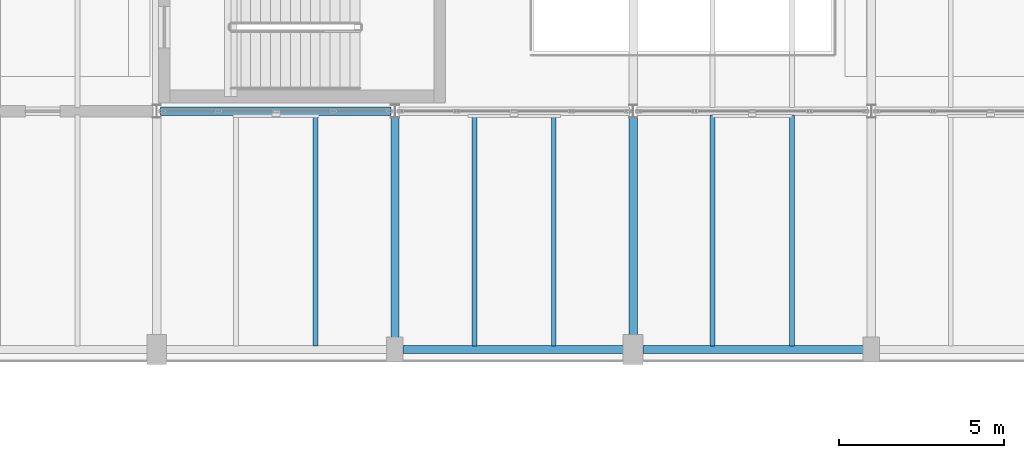
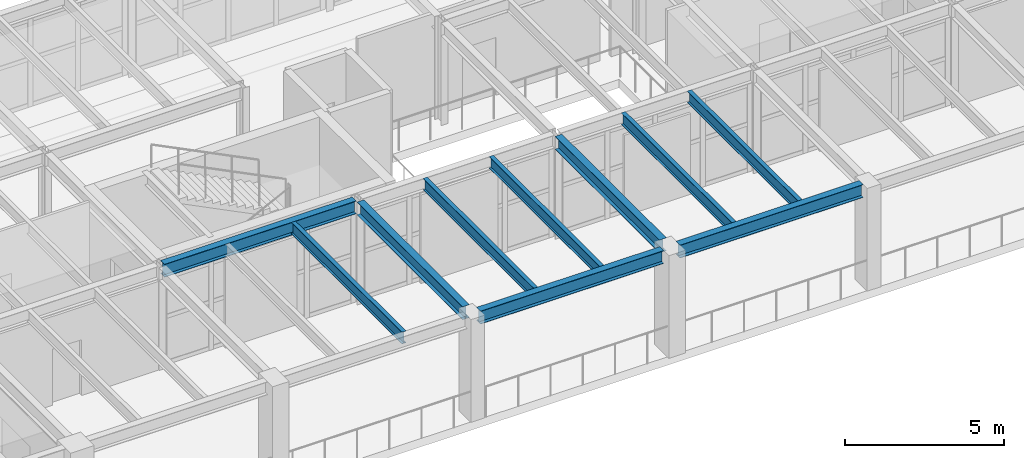
# One storey, part 14 of 59: 10 beams.
"""IFC4 building model written with IfcOpenShell, lengths in metres."""

import ifcopenshell
import ifcopenshell.guid

model = None  # the IFC model being written
_history = None  # IfcOwnerHistory: only IFC2X3 demands one
_inside = {}  # id of a spatial element -> (the spatial element, [elements in it])
_under = {}  # id of a project, library or spatial element -> (it, [spatial elements below it])
_declared = {}  # id of a project -> (the project, [libraries it declares])
_typed = {}  # id of a type object -> (the type object, [elements of that type])
_made_of = {}  # id of a material, layer set ... -> (it, [elements and type objects made of it])


def new_model(schema):
    """Start an empty IFC model of exactly this schema.

    Asked for "IFC4X3", IfcOpenShell would pick the latest addendum, in which some entities
    have other attributes; the version numbers below select the first issue.
    IFC2X3 requires an IfcOwnerHistory on every rooted entity: one is made here for all.
    """
    global model, _history
    if schema == "IFC4X3":
        model = ifcopenshell.file(schema_version=(4, 3, 0, 0))
    else:
        model = ifcopenshell.file(schema=schema)
    _inside.clear()
    _under.clear()
    _declared.clear()
    _typed.clear()
    _made_of.clear()
    _history = None
    if model.schema == "IFC2X3":
        org = make("IfcOrganization", Name="unknown")
        user = make(
            "IfcPersonAndOrganization",
            ThePerson=make("IfcPerson", FamilyName="unknown"),
            TheOrganization=org,
        )
        app = make(
            "IfcApplication",
            ApplicationDeveloper=org,
            Version="unknown",
            ApplicationFullName="unknown",
            ApplicationIdentifier="unknown",
        )
        _history = make(
            "IfcOwnerHistory",
            OwningUser=user,
            OwningApplication=app,
            ChangeAction="ADDED",
            CreationDate=0,
        )
    return model


def make(cls, **values):
    """One entity of the class cls with the attributes given. An attribute that is None is left unset."""
    return model.create_entity(
        cls, **{name: value for name, value in values.items() if value is not None}
    )


def rooted(cls, **values):
    """An entity with a GlobalId (a new one), such as an element, a storey or a relation."""
    return make(cls, GlobalId=ifcopenshell.guid.new(), OwnerHistory=_history, **values)


def si_unit(unit_type, name, prefix=None):
    """IfcSIUnit, for example si_unit("LENGTHUNIT", "METRE", prefix="MILLI")."""
    return make("IfcSIUnit", UnitType=unit_type, Prefix=prefix, Name=name)


def assignment(units):
    """IfcUnitAssignment: the units of a project."""
    return None if units is None else make("IfcUnitAssignment", Units=units)


def point(xyz):
    """IfcCartesianPoint."""
    return None if xyz is None else make("IfcCartesianPoint", Coordinates=xyz)


def direction(xyz):
    """IfcDirection."""
    return None if xyz is None else make("IfcDirection", DirectionRatios=xyz)


def frame(location, z_axis=None, x_axis=None):
    """IfcAxis2Placement3D, a coordinate frame: its origin and axes. An axis left out is left unset."""
    return make(
        "IfcAxis2Placement3D",
        Location=point(location),
        Axis=direction(z_axis),
        RefDirection=direction(x_axis),
    )


def frame_2d(location, x_axis=None):
    """IfcAxis2Placement2D, a coordinate frame in the plane: its origin and x axis."""
    return make(
        "IfcAxis2Placement2D", Location=point(location), RefDirection=direction(x_axis)
    )


def origin():
    """The frame at (0, 0, 0) with its axes left unset."""
    return frame((0.0, 0.0, 0.0))


def origin_2d():
    """The frame at (0, 0) in the plane with its x axis left unset."""
    return frame_2d((0.0, 0.0))


def place(relative_to, where):
    """IfcLocalPlacement: puts the frame where relative to a parent placement (None: the world)."""
    return make(
        "IfcLocalPlacement", PlacementRelTo=relative_to, RelativePlacement=where
    )


def context(
    kind, dimensions, precision=None, world=None, true_north=None, identifier=None
):
    """IfcGeometricRepresentationContext, for example the 3D "Model" context."""
    return make(
        "IfcGeometricRepresentationContext",
        ContextIdentifier=identifier,
        ContextType=kind,
        CoordinateSpaceDimension=dimensions,
        Precision=precision,
        WorldCoordinateSystem=world,
        TrueNorth=true_north,
    )


def subcontext(parent, identifier, kind, view, scale=None):
    """IfcGeometricRepresentationSubContext, for example "Body" below "Model"."""
    return make(
        "IfcGeometricRepresentationSubContext",
        ContextIdentifier=identifier,
        ContextType=kind,
        ParentContext=parent,
        TargetScale=scale,
        TargetView=view,
    )


def project(units=None, contexts=None):
    """IfcProject with its units and contexts."""
    return rooted(
        "IfcProject",
        Name="project",
        RepresentationContexts=contexts,
        UnitsInContext=assignment(units),
    )


def spatial(cls, under=None, at=None, **own):
    """A site, building, storey or space (cls), placed at a placement, below another one or the project."""
    s = rooted(cls, ObjectPlacement=at, **own)
    if under is not None:
        _under.setdefault(under.id(), (under, []))[1].append(s)
    return s


def profile(cls, at=None, kind="AREA", **sizes):
    """A parametric profile (cls). Its sizes go by their IFC names, for example OverallWidth=200.0."""
    return make(cls, ProfileType=kind, Position=at, **sizes)


def i_section(**sizes):
    """IfcIShapeProfileDef."""
    return profile("IfcIShapeProfileDef", **sizes)


def extrude(swept, where, along, depth):
    """IfcExtrudedAreaSolid: the profile swept, set in the frame where, extruded along a direction by depth."""
    return make(
        "IfcExtrudedAreaSolid",
        SweptArea=swept,
        Position=where,
        ExtrudedDirection=direction(along),
        Depth=depth,
    )


def shape(context_of_items, identifier, shape_type, items):
    """IfcShapeRepresentation: the items that make up one representation, for example the "Body"."""
    return make(
        "IfcShapeRepresentation",
        ContextOfItems=context_of_items,
        RepresentationIdentifier=identifier,
        RepresentationType=shape_type,
        Items=items,
    )


def material(Name=None, Category=None):
    """IfcMaterial."""
    return make("IfcMaterial", Name=Name, Category=Category)


def material_profile(
    of_material, cross_section, Name=None, Category=None, Priority=None
):
    """IfcMaterialProfile: a cross section and its material."""
    return make(
        "IfcMaterialProfile",
        Name=Name,
        Material=of_material,
        Profile=cross_section,
        Priority=Priority,
        Category=Category,
    )


def profile_set(profiles, Name=None, composite=None):
    """IfcMaterialProfileSet."""
    return make(
        "IfcMaterialProfileSet",
        Name=Name,
        MaterialProfiles=profiles,
        CompositeProfile=composite,
    )


def made_of(thing, what):
    """Note that an element or type object is made of a material, layer set ...; save() writes the relation."""
    if what is not None:
        _made_of.setdefault(what.id(), (what, []))[1].append(thing)
    return thing


def type_object(cls, material=None, **own):
    """A type object (cls), such as IfcWallType, which elements share."""
    return made_of(rooted(cls, **own), material)


def element(
    cls,
    number,
    at=None,
    inside=None,
    cuts=None,
    type_object=None,
    material=None,
    context=None,
    identifier="Body",
    shape_type=None,
    held_by="IfcProductDefinitionShape",
    body=None,
    shapes=None,
    **own,
):
    """One element of the class cls, such as IfcWall. Its Tag is "e" and its number.

    at: its placement. inside: the storey or other place that contains it. cuts: it is an
    opening in that element (IfcRelVoidsElement). A single representation is given by context,
    identifier, shape_type and body (its items); several are given by shapes. held_by: the class
    of the entity that holds the representations. save() writes the other relations.
    """
    e = rooted(cls, Tag="e%d" % number, ObjectPlacement=at, **own)
    if body is not None:
        shapes = [shape(context, identifier, shape_type, body)]
    if shapes is not None:
        e.Representation = make(held_by, Representations=shapes)
    if inside is not None:
        _inside.setdefault(inside.id(), (inside, []))[1].append(e)
    if cuts is not None:
        rooted(
            "IfcRelVoidsElement", RelatingBuildingElement=cuts, RelatedOpeningElement=e
        )
    if type_object is not None:
        _typed.setdefault(type_object.id(), (type_object, []))[1].append(e)
    return made_of(e, material)


def aggregate(whole, parts):
    """IfcRelAggregates: a whole, such as a stair, and the parts it consists of."""
    return rooted("IfcRelAggregates", RelatingObject=whole, RelatedObjects=parts)


def save(model, path):
    """Write the relations noted so far, then the file.

    IfcRelAggregates (storeys below a building ...), IfcRelContainedInSpatialStructure (elements
    in a storey), IfcRelDefinesByType, IfcRelAssociatesMaterial and IfcRelDeclares: one each for
    every whole, place, type object, material and project.
    """
    for whole, parts in _under.values():
        aggregate(whole, parts)
    for where, things in _inside.values():
        rooted(
            "IfcRelContainedInSpatialStructure",
            RelatedElements=things,
            RelatingStructure=where,
        )
    for kind, things in _typed.values():
        rooted("IfcRelDefinesByType", RelatedObjects=things, RelatingType=kind)
    for what, things in _made_of.values():
        rooted("IfcRelAssociatesMaterial", RelatedObjects=things, RelatingMaterial=what)
    for by, libraries in _declared.values():
        rooted("IfcRelDeclares", RelatingContext=by, RelatedDefinitions=libraries)
    model.write(path)


model = new_model("IFC4")

# Units and contexts
model_context = context("Model", 3, precision=1e-05, world=origin(), true_north=direction((0.0, 1.0)))
body_context = subcontext(model_context, "Body", "Model", "MODEL_VIEW")
ifc_project = project(units=[si_unit("LENGTHUNIT", "METRE"), si_unit("AREAUNIT", "SQUARE_METRE"), si_unit("VOLUMEUNIT", "CUBIC_METRE"), si_unit("PLANEANGLEUNIT", "RADIAN"), si_unit("MASSUNIT", "GRAM", prefix="KILO")], contexts=[model_context])

# Site, building, storey
site_placement = place(None, origin())
site = spatial("IfcSite", under=ifc_project, at=site_placement, CompositionType="ELEMENT")
building_placement = place(site_placement, origin())
building = spatial("IfcBuilding", under=site, at=building_placement, Name="Kandorven Conservatory and Botanical Research Centre", CompositionType="ELEMENT")
storey_placement = place(building_placement, frame((0.0, 0.0, 4.800048828125)))
storey = spatial("IfcBuildingStorey", under=building, at=storey_placement, Name="L01", CompositionType="ELEMENT", Elevation=4.800048828125)

# Beams
ifc_material_1 = material(Name="Steel S355 (IS 2062 E350)", Category="steel")
ifc_material_profile_1 = material_profile(ifc_material_1, i_section(OverallWidth=0.25, OverallDepth=0.5, WebThickness=0.010009765625, FlangeThickness=0.0146484375, at=origin_2d()))
ifc_profile_set_1 = profile_set([ifc_material_profile_1], Name="Steel S355 (IS 2062 E350)")
beam_type_1 = type_object("IfcBeamType", Name="Beam_FG-02", PredefinedType="USERDEFINED", material=ifc_profile_set_1)
for number, where, z_axis, x_axis, name in (
    (1, (56.639892578125, 6.0, 3.699951171875), (1.0, 0.0, 0.0), (0.0, 1.0, 0.0), "Primary girder FG-02 VIS L01"),
    (2, (63.889892578125, 6.0, 3.699951171875), (1.0, 0.0, 0.0), (0.0, 1.0, 0.0), "Primary girder FG-02 VIS L01"),
):
    element("IfcBeam", number, at=place(storey_placement, frame(where, z_axis=z_axis, x_axis=x_axis)), inside=storey, type_object=beam_type_1, Name=name, ObjectType="GIRDER", PredefinedType="USERDEFINED", context=body_context, shape_type="SweptSolid", body=[
        extrude(i_section(OverallWidth=0.25, OverallDepth=0.5, WebThickness=0.010009765625, FlangeThickness=0.0146484375, at=origin_2d()), origin(), (0.0, 0.0, 1.0), 6.670166015625),
    ])
beam_1_placement = place(storey_placement, frame((49.31494140625, 13.199951171875, 3.699951171875), z_axis=(1.0, 0.0, 0.0), x_axis=(0.0, 1.0, 0.0)))
element("IfcBeam", 3, at=beam_1_placement, inside=storey, type_object=beam_type_1, Name="Primary girder FG-02 VIS L01", ObjectType="GIRDER", PredefinedType="USERDEFINED", context=body_context, shape_type="SweptSolid", body=[
    extrude(i_section(OverallWidth=0.25, OverallDepth=0.5, WebThickness=0.010009765625, FlangeThickness=0.0146484375, at=origin_2d()), origin(), (0.0, 0.0, 1.0), 6.969970703125),
])
beam_2_placement = place(storey_placement, frame((56.39990234375, 6.364990234375, 3.699951171875), z_axis=(0.0, 1.0, 0.0), x_axis=(-1.0, 0.0, 0.0)))
element("IfcBeam", 4, at=beam_2_placement, inside=storey, type_object=beam_type_1, Name="Primary girder FG-02 VIS L01", ObjectType="GIRDER", PredefinedType="USERDEFINED", context=body_context, shape_type="SweptSolid", body=[
    extrude(i_section(OverallWidth=0.25, OverallDepth=0.5, WebThickness=0.010009765625, FlangeThickness=0.0146484375, at=origin_2d()), origin(), (0.0, 0.0, 1.0), 6.64501953125),
])
beam_3_placement = place(storey_placement, frame((63.60009765625, 6.43994140625, 3.699951171875), z_axis=(0.0, 1.0, 0.0), x_axis=(-1.0, 0.0, 0.0)))
element("IfcBeam", 5, at=beam_3_placement, inside=storey, type_object=beam_type_1, Name="Primary girder FG-02 VIS L01", ObjectType="GIRDER", PredefinedType="USERDEFINED", context=body_context, shape_type="SweptSolid", body=[
    extrude(i_section(OverallWidth=0.25, OverallDepth=0.5, WebThickness=0.010009765625, FlangeThickness=0.0146484375, at=origin_2d()), origin(), (0.0, 0.0, 1.0), 6.570068359375),
])
ifc_material_2 = material(Name="Steel S355 (IS 2062 E350)", Category="steel")
ifc_material_profile_2 = material_profile(ifc_material_2, i_section(OverallWidth=0.14990234375, OverallDepth=0.449951171875, WebThickness=0.009521484375, FlangeThickness=0.017333984375, at=origin_2d()))
ifc_profile_set_2 = profile_set([ifc_material_profile_2], Name="Steel S355 (IS 2062 E350)")
beam_type_2 = type_object("IfcBeamType", Name="Beam_SB-04", PredefinedType="BEAM", material=ifc_profile_set_2)
for number, where, z_axis, x_axis, name in (
    (6, (54.0, 6.110107421875, 3.724853515625), (0.0, 1.0, 0.0), (-1.0, 0.0, 0.0), "Composite secondary beam SB-04 VIS L01"),
    (7, (58.800048828125, 6.110107421875, 3.724853515625), (0.0, 1.0, 0.0), (-1.0, 0.0, 0.0), "Composite secondary beam SB-04 VIS L01"),
    (8, (61.199951171875, 6.110107421875, 3.724853515625), (0.0, 1.0, 0.0), (-1.0, 0.0, 0.0), "Composite secondary beam SB-04 VIS L01"),
    (9, (66.0, 6.110107421875, 3.724853515625), (0.0, 1.0, 0.0), (-1.0, 0.0, 0.0), "Composite secondary beam SB-04 VIS L01"),
    (10, (68.39990234375, 6.110107421875, 3.724853515625), (0.0, 1.0, 0.0), (-1.0, 0.0, 0.0), "Composite secondary beam SB-04 VIS L01"),
):
    element("IfcBeam", number, at=place(storey_placement, frame(where, z_axis=z_axis, x_axis=x_axis)), inside=storey, type_object=beam_type_2, Name=name, PredefinedType="BEAM", context=body_context, shape_type="SweptSolid", body=[
        extrude(i_section(OverallWidth=0.14990234375, OverallDepth=0.449951171875, WebThickness=0.009521484375, FlangeThickness=0.017333984375, at=origin_2d()), origin(), (0.0, 0.0, 1.0), 6.97998046875),
    ])

save(model, "model.ifc")
